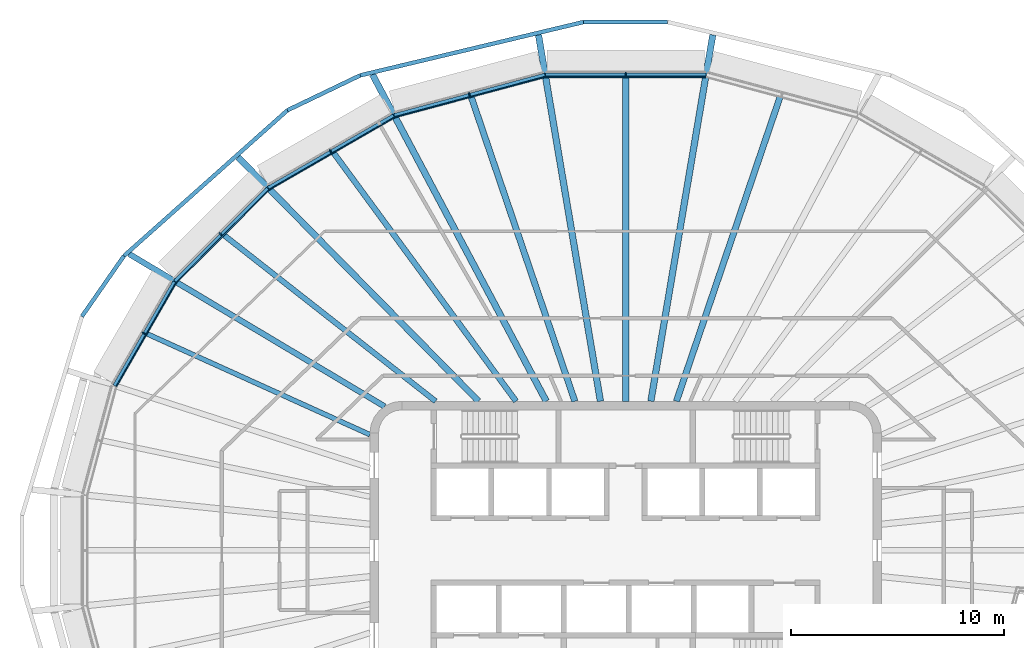
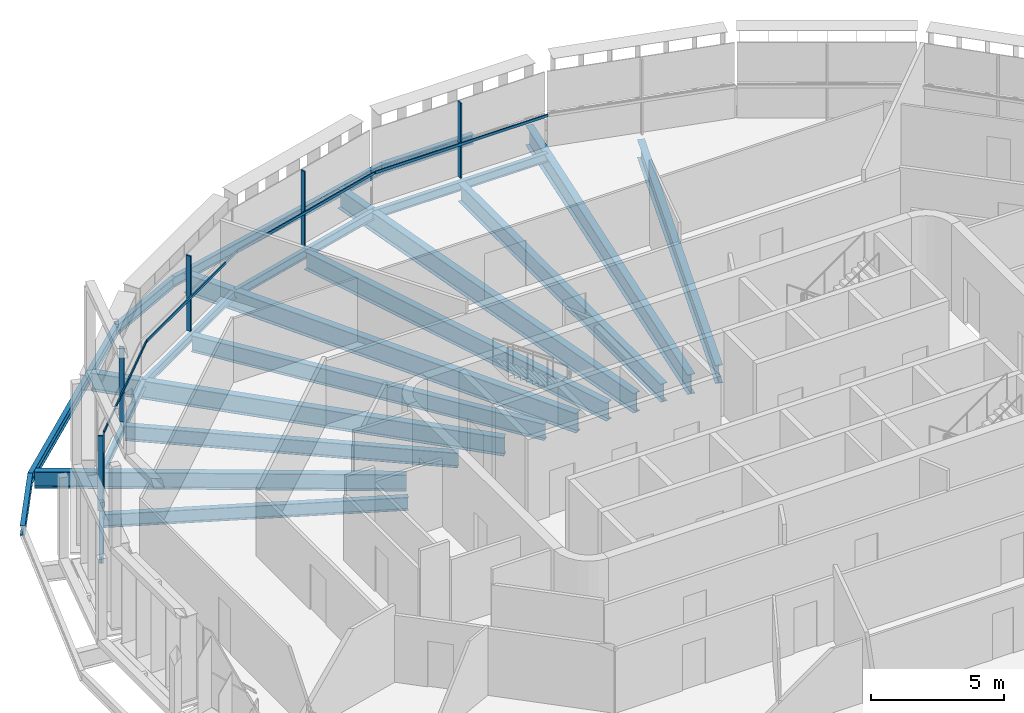
# One storey, part 5 of 18: 21 beams, 10 members, 5 elements without a shape of their own.
"""IFC4 building model written with IfcOpenShell, lengths in metres."""

from ifc_helpers import new_model, si_unit, direction, frame, origin, origin_2d, place, context, subcontext, project, spatial, rectangle, i_section, extrude, material, layer, layer_set, material_profile, profile_set, type_object, element, aggregate, save


model = new_model("IFC4")

# Units and contexts
model_context = context("Model", 3, precision=1e-05, world=origin(), true_north=direction((0.0, 1.0)))
body_context = subcontext(model_context, "Body", "Model", "MODEL_VIEW")
ifc_project = project(units=[si_unit("LENGTHUNIT", "METRE"), si_unit("AREAUNIT", "SQUARE_METRE"), si_unit("VOLUMEUNIT", "CUBIC_METRE"), si_unit("PLANEANGLEUNIT", "RADIAN"), si_unit("MASSUNIT", "GRAM", prefix="KILO")], contexts=[model_context])

# Site, building, storey
site_placement = place(None, origin())
site = spatial("IfcSite", under=ifc_project, at=site_placement, CompositionType="ELEMENT")
building_placement = place(site_placement, origin())
building = spatial("IfcBuilding", under=site, at=building_placement, Name="Sahrelin Media Tower", CompositionType="ELEMENT")
storey_placement = place(building_placement, frame((0.0, 0.0, 312.39990234375)))
storey = spatial("IfcBuildingStorey", under=building, at=storey_placement, Name="L69", CompositionType="ELEMENT", Elevation=312.39990234375)

# Beams
ifc_material_1 = material(Name="Steel S355", Category="steel")
ifc_material_profile_1 = material_profile(ifc_material_1, i_section(OverallWidth=0.1650390625, OverallDepth=0.303466796875, WebThickness=0.006103515625, FlangeThickness=0.01025390625, FilletRadius=0.0087890625, at=origin_2d()), Name="UB 305x165x40")
ifc_profile_set_1 = profile_set([ifc_material_profile_1], Name="Steel S355")
beam_type_1 = type_object("IfcBeamType", Name="Edge beam EB2", PredefinedType="BEAM", material=ifc_profile_set_1)
beam_1_placement = place(storey_placement, frame((-23.986083984375, 7.731689453125, -0.301513671875), z_axis=(0.500002884005, 0.866023738697, 0.0), x_axis=(-0.866023738697, 0.500002884005, 0.0)))
element("IfcBeam", 1, at=beam_1_placement, inside=storey, type_object=beam_type_1, Name="Edge beam L69-11", PredefinedType="BEAM", context=body_context, shape_type="SweptSolid", body=[
    extrude(i_section(OverallWidth=0.1650390625, OverallDepth=0.303466796875, WebThickness=0.006103515625, FlangeThickness=0.01025390625, FilletRadius=0.0087890625, at=origin_2d()), origin(), (0.0, 0.0, 1.0), 5.626953125),
])
ifc_material_profile_2 = material_profile(ifc_material_1, i_section(OverallWidth=0.17138671875, OverallDepth=0.35498046875, WebThickness=0.00732421875, FlangeThickness=0.011474609375, FilletRadius=0.01025390625, at=origin_2d()), Name="UB 356x171x51")
ifc_profile_set_2 = profile_set([ifc_material_profile_2], Name="Steel S355")
beam_type_2 = type_object("IfcBeamType", Name="Edge beam EB3", PredefinedType="BEAM", material=ifc_profile_set_2)
beam_2_placement = place(storey_placement, frame((-21.155029296875, 12.627685546875, -0.327392578125), z_axis=(0.707086987858, 0.707126573961, 0.0), x_axis=(-0.707126573961, 0.707086987858, 0.0)))
element("IfcBeam", 2, at=beam_2_placement, inside=storey, type_object=beam_type_2, Name="Edge beam L69-12", PredefinedType="BEAM", context=body_context, shape_type="SweptSolid", body=[
    extrude(i_section(OverallWidth=0.17138671875, OverallDepth=0.35498046875, WebThickness=0.00732421875, FlangeThickness=0.011474609375, FilletRadius=0.01025390625, at=origin_2d()), origin(), (0.0, 0.0, 1.0), 6.167236328125),
])
beam_3_placement = place(storey_placement, frame((-16.771240234375, 17.006103515625, -0.327392578125), z_axis=(0.866012045084, 0.500023137234, 0.0), x_axis=(-0.500023137234, 0.866012045084, 0.0)))
element("IfcBeam", 3, at=beam_3_placement, inside=storey, type_object=beam_type_2, Name="Edge beam L69-13", PredefinedType="BEAM", context=body_context, shape_type="SweptSolid", body=[
    extrude(i_section(OverallWidth=0.17138671875, OverallDepth=0.35498046875, WebThickness=0.00732421875, FlangeThickness=0.011474609375, FilletRadius=0.01025390625, at=origin_2d()), origin(), (0.0, 0.0, 1.0), 6.794189453125),
])
ifc_material_profile_3 = material_profile(ifc_material_1, i_section(OverallWidth=0.177978515625, OverallDepth=0.406494140625, WebThickness=0.0078125, FlangeThickness=0.0126953125, FilletRadius=0.01025390625, at=origin_2d()), Name="UB 406x178x60")
ifc_profile_set_3 = profile_set([ifc_material_profile_3], Name="Steel S355")
beam_type_3 = type_object("IfcBeamType", Name="Edge beam EB4", PredefinedType="BEAM", material=ifc_profile_set_3)
beam_4_placement = place(storey_placement, frame((-10.86083984375, 20.414306640625, -0.35302734375), z_axis=(0.965929736492, 0.258804451587, 0.0), x_axis=(-0.258804451587, 0.965929736492, 0.0)))
element("IfcBeam", 4, at=beam_4_placement, inside=storey, type_object=beam_type_3, Name="Edge beam L69-14", PredefinedType="BEAM", context=body_context, shape_type="SweptSolid", body=[
    extrude(i_section(OverallWidth=0.177978515625, OverallDepth=0.406494140625, WebThickness=0.0078125, FlangeThickness=0.0126953125, FilletRadius=0.01025390625, at=origin_2d()), origin(), (0.0, 0.0, 1.0), 7.318359375),
])
beam_5_placement = place(storey_placement, frame((-3.76318359375, 22.31201171875, -0.35302734375), z_axis=(1.0, 0.0, 0.0), x_axis=(0.0, 1.0, 0.0)))
element("IfcBeam", 5, at=beam_5_placement, inside=storey, type_object=beam_type_3, Name="Edge beam L69-15", PredefinedType="BEAM", context=body_context, shape_type="SweptSolid", body=[
    extrude(i_section(OverallWidth=0.177978515625, OverallDepth=0.406494140625, WebThickness=0.0078125, FlangeThickness=0.0126953125, FilletRadius=0.01025390625, at=origin_2d()), origin(), (0.0, 0.0, 1.0), 7.5263671875),
])

# Curtain wall, member
ifc_material_2 = material(Name="Champagne anodised aluminium 6063-T6", Category="aluminium")
ifc_layer = layer(ifc_material_2, 0.14990234375)
ifc_layer_set = layer_set([ifc_layer], Name="Tower ribbon curtain wall")
curtain_wall_type = type_object("IfcCurtainWallType", Name="Tower ribbon curtain wall", PredefinedType="NOTDEFINED", material=ifc_layer_set)
curtain_wall_1_placement = place(storey_placement, frame((0.0, 22.462158203125, 0.0), z_axis=(0.0, 0.0, 1.0), x_axis=(1.0, 0.0, 0.0)))
curtain_wall_1 = element("IfcCurtainWall", 6, at=curtain_wall_1_placement, inside=storey, type_object=curtain_wall_type, Name="L69:CW:L69-06", PredefinedType="NOTDEFINED")
ifc_material_profile_4 = material_profile(ifc_material_2, rectangle(XDim=0.06005859375, YDim=0.199951171875, at=origin_2d()), Name="Mullion 60x200")
ifc_profile_set_4 = profile_set([ifc_material_profile_4], Name="Champagne anodised aluminium 6063-T6")
member_type_1 = type_object("IfcMemberType", Name="Mullion 60x200 CW1C", PredefinedType="MULLION", material=ifc_profile_set_4)
member_1_placement = place(storey_placement, frame((0.0, 22.342041015625, 0.0), z_axis=(0.0, 0.0, 1.0), x_axis=(-1.0, 0.0, 0.0)))
member_1 = element("IfcMember", 7, at=member_1_placement, type_object=member_type_1, Name="L69:CWM:L69-06", PredefinedType="MULLION", context=body_context, shape_type="SweptSolid", body=[
    extrude(rectangle(XDim=0.06005859375, YDim=0.199951171875, at=origin_2d()), origin(), (0.0, 0.0, 1.0), 3.44873046875),
])

curtain_wall_2_placement = place(storey_placement, frame((-7.364990234375, 21.506103515625, 0.0), z_axis=(0.0, 0.0, 1.0), x_axis=(1.0, 0.0, 0.0)))
curtain_wall_2 = element("IfcCurtainWall", 8, at=curtain_wall_2_placement, inside=storey, type_object=curtain_wall_type, Name="L69:CW:L69-07", PredefinedType="NOTDEFINED")
member_2_placement = place(storey_placement, frame((-7.333984375, 21.39013671875, 0.0), z_axis=(0.0, 0.0, 1.0), x_axis=(-0.965925826289, -0.258819045103, 0.0)))
member_2 = element("IfcMember", 9, at=member_2_placement, type_object=member_type_1, Name="L69:CWM:L69-07", PredefinedType="MULLION", context=body_context, shape_type="SweptSolid", body=[
    extrude(rectangle(XDim=0.06005859375, YDim=0.199951171875, at=origin_2d()), origin(), (0.0, 0.0, 1.0), 3.44873046875),
])

curtain_wall_3_placement = place(storey_placement, frame((-13.904296875, 18.834716796875, 0.0), z_axis=(0.0, 0.0, 1.0), x_axis=(1.0, 0.0, 0.0)))
curtain_wall_3 = element("IfcCurtainWall", 10, at=curtain_wall_3_placement, inside=storey, type_object=curtain_wall_type, Name="L69:CW:L69-08", PredefinedType="NOTDEFINED")
member_3_placement = place(storey_placement, frame((-13.844482421875, 18.730712890625, 0.0), z_axis=(0.0, 0.0, 1.0), x_axis=(-0.866028894422, -0.49999395399, 0.0)))
member_3 = element("IfcMember", 11, at=member_3_placement, type_object=member_type_1, Name="L69:CWM:L69-08", PredefinedType="MULLION", context=body_context, shape_type="SweptSolid", body=[
    extrude(rectangle(XDim=0.06005859375, YDim=0.199951171875, at=origin_2d()), origin(), (0.0, 0.0, 1.0), 3.44873046875),
])

curtain_wall_4_placement = place(storey_placement, frame((-19.08056640625, 14.914306640625, 0.0), z_axis=(0.0, 0.0, 1.0), x_axis=(1.0, 0.0, 0.0)))
curtain_wall_4 = element("IfcCurtainWall", 12, at=curtain_wall_4_placement, inside=storey, type_object=curtain_wall_type, Name="L69:CW:L69-09", PredefinedType="NOTDEFINED")
member_4_placement = place(storey_placement, frame((-18.99560546875, 14.829345703125, 0.0), z_axis=(0.0, 0.0, 1.0), x_axis=(-0.707099376343, -0.707114185953, 0.0)))
member_4 = element("IfcMember", 13, at=member_4_placement, type_object=member_type_1, Name="L69:CWM:L69-09", PredefinedType="MULLION", context=body_context, shape_type="SweptSolid", body=[
    extrude(rectangle(XDim=0.06005859375, YDim=0.199951171875, at=origin_2d()), origin(), (0.0, 0.0, 1.0), 3.44873046875),
])

curtain_wall_5_placement = place(storey_placement, frame((-22.709228515625, 10.2431640625, 0.0), z_axis=(0.0, 0.0, 1.0), x_axis=(1.0, 0.0, 0.0)))
curtain_wall_5 = element("IfcCurtainWall", 14, at=curtain_wall_5_placement, inside=storey, type_object=curtain_wall_type, Name="L69:CW:L69-10", PredefinedType="NOTDEFINED")
member_5_placement = place(storey_placement, frame((-22.605224609375, 10.18310546875, 0.0), z_axis=(0.0, 0.0, 1.0), x_axis=(-0.500003022996, -0.86602365845, 0.0)))
member_5 = element("IfcMember", 15, at=member_5_placement, type_object=member_type_1, Name="L69:CWM:L69-10", PredefinedType="MULLION", context=body_context, shape_type="SweptSolid", body=[
    extrude(rectangle(XDim=0.06005859375, YDim=0.199951171875, at=origin_2d()), origin(), (0.0, 0.0, 1.0), 3.44873046875),
])

# Beams
ifc_material_profile_5 = material_profile(ifc_material_1, i_section(OverallWidth=0.291748046875, OverallDepth=0.8349609375, WebThickness=0.013916015625, FlangeThickness=0.018798828125, FilletRadius=0.017822265625, at=origin_2d()), Name="UB 838x292x176")
ifc_profile_set_5 = profile_set([ifc_material_profile_5], Name="Steel S355")
beam_type_4 = type_object("IfcBeamType", Name="Radial primary beam PB10", PredefinedType="BEAM", material=ifc_profile_set_5)
beam_6_placement = place(storey_placement, frame((-6.900634765625, 7.0, -0.5673828125), z_axis=(-0.702027793691, 0.712149546715, 0.0), x_axis=(-0.712149546715, -0.702027793691, 0.0)))
element("IfcBeam", 16, at=beam_6_placement, inside=storey, type_object=beam_type_4, Name="Radial beam L69-09", PredefinedType="BEAM", context=body_context, shape_type="SweptSolid", body=[
    extrude(i_section(OverallWidth=0.291748046875, OverallDepth=0.8349609375, WebThickness=0.013916015625, FlangeThickness=0.018798828125, FilletRadius=0.017822265625, at=origin_2d()), origin(), (0.0, 0.0, 1.0), 16.08837890625),
])
ifc_material_profile_6 = material_profile(ifc_material_1, i_section(OverallWidth=0.30322265625, OverallDepth=0.903076171875, WebThickness=0.01513671875, FlangeThickness=0.020263671875, FilletRadius=0.01904296875, at=origin_2d()), Name="UB 914x305x201")
ifc_profile_set_6 = profile_set([ifc_material_profile_6], Name="Steel S355")
beam_type_5 = type_object("IfcBeamType", Name="Radial primary beam PB11", PredefinedType="BEAM", material=ifc_profile_set_6)
for number, where, z_axis, x_axis, name in (
    (17, (1.183349609375, 7.0, -0.601318359375), (0.166700825937, 0.986007522604, 0.0), (-0.986007522604, 0.166700825937, 0.0), "Radial beam L69-06"),
    (18, (-1.183349609375, 7.0, -0.601318359375), (-0.166700825937, 0.986007522604, 0.0), (-0.986007522604, -0.166700825937, 0.0), "Radial beam L69-07"),
):
    element("IfcBeam", number, at=place(storey_placement, frame(where, z_axis=z_axis, x_axis=x_axis)), inside=storey, type_object=beam_type_5, Name=name, PredefinedType="BEAM", context=body_context, shape_type="SweptSolid", body=[
        extrude(i_section(OverallWidth=0.30322265625, OverallDepth=0.903076171875, WebThickness=0.01513671875, FlangeThickness=0.020263671875, FilletRadius=0.01904296875, at=origin_2d()), origin(), (0.0, 0.0, 1.0), 17.436767578125),
    ])
beam_7_placement = place(storey_placement, frame((-3.72412109375, 7.0, -0.601318359375), z_axis=(-0.469669389821, 0.882842377928, 0.0), x_axis=(-0.882842377928, -0.469669389821, 0.0)))
element("IfcBeam", 19, at=beam_7_placement, inside=storey, type_object=beam_type_5, Name="Radial beam L69-08", PredefinedType="BEAM", context=body_context, shape_type="SweptSolid", body=[
    extrude(i_section(OverallWidth=0.30322265625, OverallDepth=0.903076171875, WebThickness=0.01513671875, FlangeThickness=0.020263671875, FilletRadius=0.01904296875, at=origin_2d()), origin(), (0.0, 0.0, 1.0), 17.367431640625),
])
ifc_material_profile_7 = material_profile(ifc_material_1, i_section(OverallWidth=0.26513671875, OverallDepth=0.75390625, WebThickness=0.0126953125, FlangeThickness=0.017578125, FilletRadius=0.0166015625, at=origin_2d()), Name="UB 762x267x147")
ifc_profile_set_7 = profile_set([ifc_material_profile_7], Name="Steel S355")
beam_type_6 = type_object("IfcBeamType", Name="Radial primary beam PB9", PredefinedType="BEAM", material=ifc_profile_set_7)
beam_8_placement = place(storey_placement, frame((-11.309814453125, 6.753173828125, -0.52685546875), z_axis=(-0.858595650367, 0.512653400624, 0.0), x_axis=(-0.512653400624, -0.858595650367, 0.0)))
element("IfcBeam", 20, at=beam_8_placement, inside=storey, type_object=beam_type_6, Name="Radial beam L69-10", PredefinedType="BEAM", context=body_context, shape_type="SweptSolid", body=[
    extrude(i_section(OverallWidth=0.26513671875, OverallDepth=0.75390625, WebThickness=0.0126953125, FlangeThickness=0.017578125, FilletRadius=0.0166015625, at=origin_2d()), origin(), (0.0, 0.0, 1.0), 13.962158203125),
])
ifc_material_profile_8 = material_profile(ifc_material_1, i_section(OverallWidth=0.291748046875, OverallDepth=0.8349609375, WebThickness=0.013916015625, FlangeThickness=0.018798828125, FilletRadius=0.017822265625, at=origin_2d()), Name="UB 838x292x176")
ifc_profile_set_8 = profile_set([ifc_material_profile_8], Name="Steel S355")
beam_type_7 = type_object("IfcBeamType", Name="Radial secondary beam SB10", PredefinedType="BEAM", material=ifc_profile_set_8)
beam_9_placement = place(storey_placement, frame((2.383544921875, 7.0, -0.5673828125), z_axis=(0.322344281153, 0.946622503645, 0.0), x_axis=(-0.946622503645, 0.322344281153, 0.0)))
element("IfcBeam", 21, at=beam_9_placement, inside=storey, type_object=beam_type_7, Name="Secondary beam L69-05", PredefinedType="BEAM", context=body_context, shape_type="SweptSolid", body=[
    extrude(i_section(OverallWidth=0.291748046875, OverallDepth=0.8349609375, WebThickness=0.013916015625, FlangeThickness=0.018798828125, FilletRadius=0.017822265625, at=origin_2d()), origin(), (0.0, 0.0, 1.0), 15.095458984375),
])
beam_10_placement = place(storey_placement, frame((0.0, 7.0, -0.5673828125), z_axis=(0.0, 1.0, 0.0), x_axis=(-1.0, 0.0, 0.0)))
element("IfcBeam", 22, at=beam_10_placement, inside=storey, type_object=beam_type_7, Name="Secondary beam L69-06", PredefinedType="BEAM", context=body_context, shape_type="SweptSolid", body=[
    extrude(i_section(OverallWidth=0.291748046875, OverallDepth=0.8349609375, WebThickness=0.013916015625, FlangeThickness=0.018798828125, FilletRadius=0.017822265625, at=origin_2d()), origin(), (0.0, 0.0, 1.0), 15.22314453125),
])
beam_11_placement = place(storey_placement, frame((-2.383544921875, 7.0, -0.5673828125), z_axis=(-0.322344281153, 0.946622503645, 0.0), x_axis=(-0.946622503645, -0.322344281153, 0.0)))
element("IfcBeam", 23, at=beam_11_placement, inside=storey, type_object=beam_type_7, Name="Secondary beam L69-07", PredefinedType="BEAM", context=body_context, shape_type="SweptSolid", body=[
    extrude(i_section(OverallWidth=0.291748046875, OverallDepth=0.8349609375, WebThickness=0.013916015625, FlangeThickness=0.018798828125, FilletRadius=0.017822265625, at=origin_2d()), origin(), (0.0, 0.0, 1.0), 15.095458984375),
])
ifc_material_profile_9 = material_profile(ifc_material_1, i_section(OverallWidth=0.2275390625, OverallDepth=0.6025390625, WebThickness=0.010498046875, FlangeThickness=0.014892578125, FilletRadius=0.0126953125, at=origin_2d()), Name="UB 610x229x101")
ifc_profile_set_9 = profile_set([ifc_material_profile_9], Name="Steel S355")
beam_type_8 = type_object("IfcBeamType", Name="Radial secondary beam SB7", PredefinedType="BEAM", material=ifc_profile_set_9)
beam_12_placement = place(storey_placement, frame((-12.0, 5.43115234375, -0.451171875), z_axis=(-0.911023083006, 0.412355359163, 0.0), x_axis=(-0.412355359163, -0.911023083006, 0.0)))
element("IfcBeam", 24, at=beam_12_placement, inside=storey, type_object=beam_type_8, Name="Secondary beam L69-10", PredefinedType="BEAM", context=body_context, shape_type="SweptSolid", body=[
    extrude(i_section(OverallWidth=0.2275390625, OverallDepth=0.6025390625, WebThickness=0.010498046875, FlangeThickness=0.014892578125, FilletRadius=0.0126953125, at=origin_2d()), origin(), (0.0, 0.0, 1.0), 11.50390625),
])
ifc_material_profile_10 = material_profile(ifc_material_1, i_section(OverallWidth=0.2529296875, OverallDepth=0.677978515625, WebThickness=0.01171875, FlangeThickness=0.01611328125, FilletRadius=0.01513671875, at=origin_2d()), Name="UB 686x254x125")
ifc_profile_set_10 = profile_set([ifc_material_profile_10], Name="Steel S355")
beam_type_9 = type_object("IfcBeamType", Name="Radial secondary beam SB8", PredefinedType="BEAM", material=ifc_profile_set_10)
beam_13_placement = place(storey_placement, frame((-8.919189453125, 7.0, -0.489013671875), z_axis=(-0.786664822555, 0.61738031792, 0.0), x_axis=(-0.61738031792, -0.786664822555, 0.0)))
element("IfcBeam", 25, at=beam_13_placement, inside=storey, type_object=beam_type_9, Name="Secondary beam L69-09", PredefinedType="BEAM", context=body_context, shape_type="SweptSolid", body=[
    extrude(i_section(OverallWidth=0.2529296875, OverallDepth=0.677978515625, WebThickness=0.01171875, FlangeThickness=0.01611328125, FilletRadius=0.01513671875, at=origin_2d()), origin(), (0.0, 0.0, 1.0), 12.636474609375),
])
ifc_material_profile_11 = material_profile(ifc_material_1, i_section(OverallWidth=0.26513671875, OverallDepth=0.75390625, WebThickness=0.0126953125, FlangeThickness=0.017578125, FilletRadius=0.0166015625, at=origin_2d()), Name="UB 762x267x147")
ifc_profile_set_11 = profile_set([ifc_material_profile_11], Name="Steel S355")
beam_type_10 = type_object("IfcBeamType", Name="Radial secondary beam SB9", PredefinedType="BEAM", material=ifc_profile_set_11)
beam_14_placement = place(storey_placement, frame((-5.142333984375, 7.0, -0.52685546875), z_axis=(-0.592032191821, 0.80591431545, 0.0), x_axis=(-0.80591431545, -0.592032191821, 0.0)))
element("IfcBeam", 26, at=beam_14_placement, inside=storey, type_object=beam_type_10, Name="Secondary beam L69-08", PredefinedType="BEAM", context=body_context, shape_type="SweptSolid", body=[
    extrude(i_section(OverallWidth=0.26513671875, OverallDepth=0.75390625, WebThickness=0.0126953125, FlangeThickness=0.017578125, FilletRadius=0.0166015625, at=origin_2d()), origin(), (0.0, 0.0, 1.0), 14.48193359375),
])
ifc_material_profile_12 = material_profile(ifc_material_1, i_section(OverallWidth=0.1904296875, OverallDepth=0.45703125, WebThickness=0.009033203125, FlangeThickness=0.014404296875, FilletRadius=0.01025390625, at=origin_2d()), Name="UB 457x191x74")
ifc_profile_set_12 = profile_set([ifc_material_profile_12], Name="Steel S355")
beam_type_11 = type_object("IfcBeamType", Name="Tie chord TC5", PredefinedType="BEAM", material=ifc_profile_set_12)
beam_15_placement = place(storey_placement, frame((1.97216796875, 24.79638671875, -0.37841796875), z_axis=(-1.0, 0.0, 0.0), x_axis=(0.0, -1.0, 0.0)))
element("IfcBeam", 27, at=beam_15_placement, inside=storey, type_object=beam_type_11, Name="Tie chord L69-06", PredefinedType="BEAM", context=body_context, shape_type="SweptSolid", body=[
    extrude(i_section(OverallWidth=0.1904296875, OverallDepth=0.45703125, WebThickness=0.009033203125, FlangeThickness=0.014404296875, FilletRadius=0.01025390625, at=origin_2d()), origin(), (0.0, 0.0, 1.0), 3.9443359375),
])
beam_16_placement = place(storey_placement, frame((-1.97216796875, 24.79638671875, -0.37841796875), z_axis=(-0.972662145221, -0.232224786046, 0.0), x_axis=(0.232224786046, -0.972662145221, 0.0)))
element("IfcBeam", 28, at=beam_16_placement, inside=storey, type_object=beam_type_11, Name="Tie chord L69-07", PredefinedType="BEAM", context=body_context, shape_type="SweptSolid", body=[
    extrude(i_section(OverallWidth=0.1904296875, OverallDepth=0.45703125, WebThickness=0.009033203125, FlangeThickness=0.014404296875, FilletRadius=0.01025390625, at=origin_2d()), origin(), (0.0, 0.0, 1.0), 10.778076171875),
])
beam_17_placement = place(storey_placement, frame((-12.45556640625, 22.29345703125, -0.37841796875), z_axis=(-0.901627608015, -0.432513186464, 0.0), x_axis=(0.432513186464, -0.901627608015, 0.0)))
element("IfcBeam", 29, at=beam_17_placement, inside=storey, type_object=beam_type_11, Name="Tie chord L69-08", PredefinedType="BEAM", context=body_context, shape_type="SweptSolid", body=[
    extrude(i_section(OverallWidth=0.1904296875, OverallDepth=0.45703125, WebThickness=0.009033203125, FlangeThickness=0.014404296875, FilletRadius=0.01025390625, at=origin_2d()), origin(), (0.0, 0.0, 1.0), 3.788818359375),
])
beam_18_placement = place(storey_placement, frame((-15.87158203125, 20.65478515625, -0.37841796875), z_axis=(-0.746646114938, -0.665221451134, 0.0), x_axis=(0.665221451134, -0.746646114938, 0.0)))
element("IfcBeam", 30, at=beam_18_placement, inside=storey, type_object=beam_type_11, Name="Tie chord L69-09", PredefinedType="BEAM", context=body_context, shape_type="SweptSolid", body=[
    extrude(i_section(OverallWidth=0.1904296875, OverallDepth=0.45703125, WebThickness=0.009033203125, FlangeThickness=0.014404296875, FilletRadius=0.01025390625, at=origin_2d()), origin(), (0.0, 0.0, 1.0), 10.2783203125),
])
beam_19_placement = place(storey_placement, frame((-23.5458984375, 13.8173828125, -0.37841796875), z_axis=(-0.570604943909, -0.82122469397, 0.0), x_axis=(0.82122469397, -0.570604943909, 0.0)))
element("IfcBeam", 31, at=beam_19_placement, inside=storey, type_object=beam_type_11, Name="Tie chord L69-10", PredefinedType="BEAM", context=body_context, shape_type="SweptSolid", body=[
    extrude(i_section(OverallWidth=0.1904296875, OverallDepth=0.45703125, WebThickness=0.009033203125, FlangeThickness=0.014404296875, FilletRadius=0.01025390625, at=origin_2d()), origin(), (0.0, 0.0, 1.0), 3.456298828125),
])

# Member
ifc_material_profile_13 = material_profile(ifc_material_2, rectangle(XDim=0.050048828125, YDim=0.1201171875, at=origin_2d()), Name="Transom 50x120")
ifc_profile_set_13 = profile_set([ifc_material_profile_13], Name="Champagne anodised aluminium 6063-T6")
member_type_2 = type_object("IfcMemberType", Name="Transom 50x120 CW1C", PredefinedType="USERDEFINED", material=ifc_profile_set_13)
member_6_placement = place(storey_placement, frame((3.74755859375, 22.217041015625, 1.60009765625), z_axis=(-1.0, 0.0, 0.0), x_axis=(0.0, -1.0, 0.0)))
member_6 = element("IfcMember", 32, at=member_6_placement, type_object=member_type_2, Name="L69:CWT:L69-06", ObjectType="TRANSOM", PredefinedType="USERDEFINED", context=body_context, shape_type="SweptSolid", body=[
    extrude(rectangle(XDim=0.050048828125, YDim=0.1201171875, at=origin_2d()), origin(), (0.0, 0.0, 1.0), 7.4951171875),
])

aggregate(curtain_wall_1, [member_1, member_6])

member_7_placement = place(storey_placement, frame((-3.782470703125, 22.21240234375, 1.60009765625), z_axis=(-0.965925618712, -0.25881981979, 0.0), x_axis=(0.25881981979, -0.965925618712, 0.0)))
member_7 = element("IfcMember", 33, at=member_7_placement, type_object=member_type_2, Name="L69:CWT:L69-07", ObjectType="TRANSOM", PredefinedType="USERDEFINED", context=body_context, shape_type="SweptSolid", body=[
    extrude(rectangle(XDim=0.050048828125, YDim=0.1201171875, at=origin_2d()), origin(), (0.0, 0.0, 1.0), 7.286865234375),
])

aggregate(curtain_wall_2, [member_2, member_7])

member_8_placement = place(storey_placement, frame((-10.853515625, 20.31298828125, 1.60009765625), z_axis=(-0.866041905059, -0.499971417865, 0.0), x_axis=(0.499971417865, -0.866041905059, 0.0)))
member_8 = element("IfcMember", 34, at=member_8_placement, type_object=member_type_2, Name="L69:CWT:L69-08", ObjectType="TRANSOM", PredefinedType="USERDEFINED", context=body_context, shape_type="SweptSolid", body=[
    extrude(rectangle(XDim=0.050048828125, YDim=0.1201171875, at=origin_2d()), origin(), (0.0, 0.0, 1.0), 6.7626953125),
])

aggregate(curtain_wall_3, [member_3, member_8])

member_9_placement = place(storey_placement, frame((-16.738037109375, 16.910400390625, 1.60009765625), z_axis=(-0.707086886503, -0.70712667531, 0.0), x_axis=(0.70712667531, -0.707086886503, 0.0)))
member_9 = element("IfcMember", 35, at=member_9_placement, type_object=member_type_2, Name="L69:CWT:L69-09", ObjectType="TRANSOM", PredefinedType="USERDEFINED", context=body_context, shape_type="SweptSolid", body=[
    extrude(rectangle(XDim=0.050048828125, YDim=0.1201171875, at=origin_2d()), origin(), (0.0, 0.0, 1.0), 6.135986328125),
])

aggregate(curtain_wall_4, [member_4, member_9])

member_10_placement = place(storey_placement, frame((-21.09814453125, 12.543701171875, 1.60009765625), z_axis=(-0.500005710357, -0.866022106883, 0.0), x_axis=(0.866022106883, -0.500005710357, 0.0)))
member_10 = element("IfcMember", 36, at=member_10_placement, type_object=member_type_2, Name="L69:CWT:L69-10", ObjectType="TRANSOM", PredefinedType="USERDEFINED", context=body_context, shape_type="SweptSolid", body=[
    extrude(rectangle(XDim=0.050048828125, YDim=0.1201171875, at=origin_2d()), origin(), (0.0, 0.0, 1.0), 5.595703125),
])

aggregate(curtain_wall_5, [member_5, member_10])

save(model, "model.ifc")
